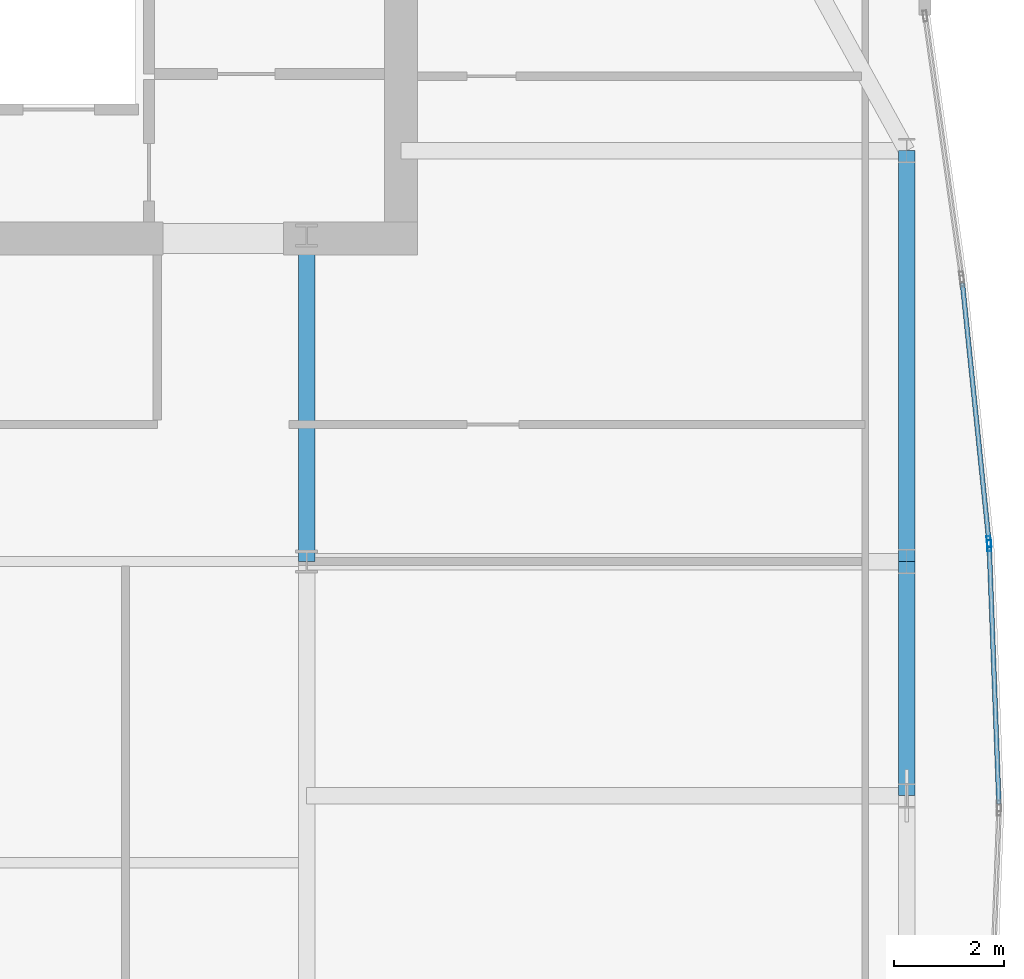
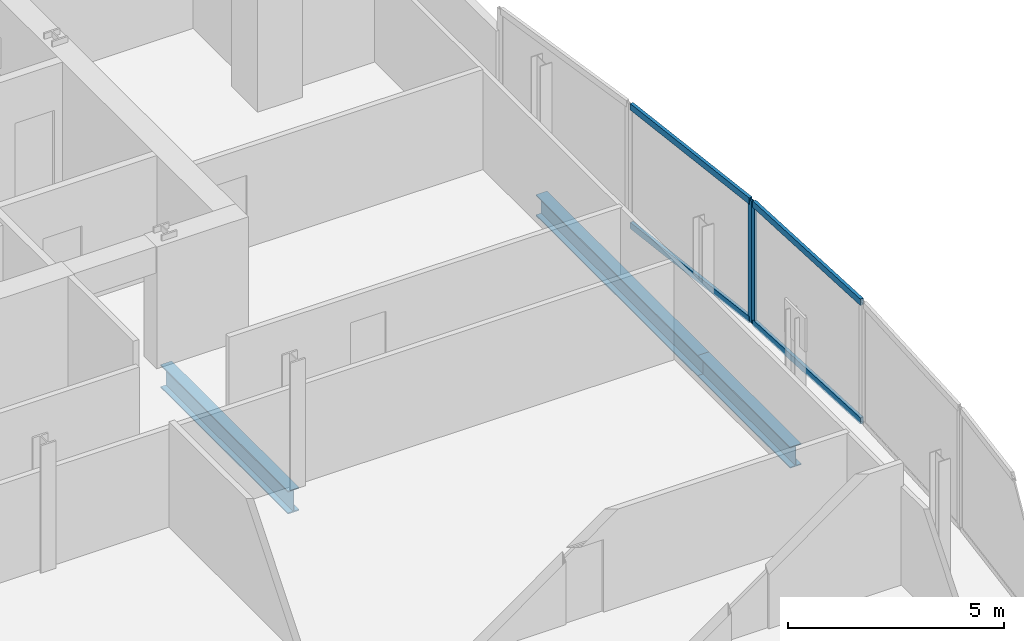
# One storey, part 21 of 32: 6 members, 3 beams, 2 elements without a shape of their own.
"""IFC4 building model written with IfcOpenShell, lengths in metres."""

import ifcopenshell
import ifcopenshell.guid

model = None  # the IFC model being written
_history = None  # IfcOwnerHistory: only IFC2X3 demands one
_inside = {}  # id of a spatial element -> (the spatial element, [elements in it])
_under = {}  # id of a project, library or spatial element -> (it, [spatial elements below it])
_declared = {}  # id of a project -> (the project, [libraries it declares])
_typed = {}  # id of a type object -> (the type object, [elements of that type])
_made_of = {}  # id of a material, layer set ... -> (it, [elements and type objects made of it])


def new_model(schema):
    """Start an empty IFC model of exactly this schema.

    Asked for "IFC4X3", IfcOpenShell would pick the latest addendum, in which some entities
    have other attributes; the version numbers below select the first issue.
    IFC2X3 requires an IfcOwnerHistory on every rooted entity: one is made here for all.
    """
    global model, _history
    if schema == "IFC4X3":
        model = ifcopenshell.file(schema_version=(4, 3, 0, 0))
    else:
        model = ifcopenshell.file(schema=schema)
    _inside.clear()
    _under.clear()
    _declared.clear()
    _typed.clear()
    _made_of.clear()
    _history = None
    if model.schema == "IFC2X3":
        org = make("IfcOrganization", Name="unknown")
        user = make(
            "IfcPersonAndOrganization",
            ThePerson=make("IfcPerson", FamilyName="unknown"),
            TheOrganization=org,
        )
        app = make(
            "IfcApplication",
            ApplicationDeveloper=org,
            Version="unknown",
            ApplicationFullName="unknown",
            ApplicationIdentifier="unknown",
        )
        _history = make(
            "IfcOwnerHistory",
            OwningUser=user,
            OwningApplication=app,
            ChangeAction="ADDED",
            CreationDate=0,
        )
    return model


def make(cls, **values):
    """One entity of the class cls with the attributes given. An attribute that is None is left unset."""
    return model.create_entity(
        cls, **{name: value for name, value in values.items() if value is not None}
    )


def rooted(cls, **values):
    """An entity with a GlobalId (a new one), such as an element, a storey or a relation."""
    return make(cls, GlobalId=ifcopenshell.guid.new(), OwnerHistory=_history, **values)


def si_unit(unit_type, name, prefix=None):
    """IfcSIUnit, for example si_unit("LENGTHUNIT", "METRE", prefix="MILLI")."""
    return make("IfcSIUnit", UnitType=unit_type, Prefix=prefix, Name=name)


def assignment(units):
    """IfcUnitAssignment: the units of a project."""
    return None if units is None else make("IfcUnitAssignment", Units=units)


def point(xyz):
    """IfcCartesianPoint."""
    return None if xyz is None else make("IfcCartesianPoint", Coordinates=xyz)


def direction(xyz):
    """IfcDirection."""
    return None if xyz is None else make("IfcDirection", DirectionRatios=xyz)


def frame(location, z_axis=None, x_axis=None):
    """IfcAxis2Placement3D, a coordinate frame: its origin and axes. An axis left out is left unset."""
    return make(
        "IfcAxis2Placement3D",
        Location=point(location),
        Axis=direction(z_axis),
        RefDirection=direction(x_axis),
    )


def frame_2d(location, x_axis=None):
    """IfcAxis2Placement2D, a coordinate frame in the plane: its origin and x axis."""
    return make(
        "IfcAxis2Placement2D", Location=point(location), RefDirection=direction(x_axis)
    )


def origin():
    """The frame at (0, 0, 0) with its axes left unset."""
    return frame((0.0, 0.0, 0.0))


def origin_2d():
    """The frame at (0, 0) in the plane with its x axis left unset."""
    return frame_2d((0.0, 0.0))


def place(relative_to, where):
    """IfcLocalPlacement: puts the frame where relative to a parent placement (None: the world)."""
    return make(
        "IfcLocalPlacement", PlacementRelTo=relative_to, RelativePlacement=where
    )


def context(
    kind, dimensions, precision=None, world=None, true_north=None, identifier=None
):
    """IfcGeometricRepresentationContext, for example the 3D "Model" context."""
    return make(
        "IfcGeometricRepresentationContext",
        ContextIdentifier=identifier,
        ContextType=kind,
        CoordinateSpaceDimension=dimensions,
        Precision=precision,
        WorldCoordinateSystem=world,
        TrueNorth=true_north,
    )


def subcontext(parent, identifier, kind, view, scale=None):
    """IfcGeometricRepresentationSubContext, for example "Body" below "Model"."""
    return make(
        "IfcGeometricRepresentationSubContext",
        ContextIdentifier=identifier,
        ContextType=kind,
        ParentContext=parent,
        TargetScale=scale,
        TargetView=view,
    )


def project(units=None, contexts=None):
    """IfcProject with its units and contexts."""
    return rooted(
        "IfcProject",
        Name="project",
        RepresentationContexts=contexts,
        UnitsInContext=assignment(units),
    )


def spatial(cls, under=None, at=None, **own):
    """A site, building, storey or space (cls), placed at a placement, below another one or the project."""
    s = rooted(cls, ObjectPlacement=at, **own)
    if under is not None:
        _under.setdefault(under.id(), (under, []))[1].append(s)
    return s


def profile(cls, at=None, kind="AREA", **sizes):
    """A parametric profile (cls). Its sizes go by their IFC names, for example OverallWidth=200.0."""
    return make(cls, ProfileType=kind, Position=at, **sizes)


def hollow_rectangle(**sizes):
    """IfcRectangleHollowProfileDef."""
    return profile("IfcRectangleHollowProfileDef", **sizes)


def i_section(**sizes):
    """IfcIShapeProfileDef."""
    return profile("IfcIShapeProfileDef", **sizes)


def extrude(swept, where, along, depth):
    """IfcExtrudedAreaSolid: the profile swept, set in the frame where, extruded along a direction by depth."""
    return make(
        "IfcExtrudedAreaSolid",
        SweptArea=swept,
        Position=where,
        ExtrudedDirection=direction(along),
        Depth=depth,
    )


def shape(context_of_items, identifier, shape_type, items):
    """IfcShapeRepresentation: the items that make up one representation, for example the "Body"."""
    return make(
        "IfcShapeRepresentation",
        ContextOfItems=context_of_items,
        RepresentationIdentifier=identifier,
        RepresentationType=shape_type,
        Items=items,
    )


def material(Name=None, Category=None):
    """IfcMaterial."""
    return make("IfcMaterial", Name=Name, Category=Category)


def material_profile(
    of_material, cross_section, Name=None, Category=None, Priority=None
):
    """IfcMaterialProfile: a cross section and its material."""
    return make(
        "IfcMaterialProfile",
        Name=Name,
        Material=of_material,
        Profile=cross_section,
        Priority=Priority,
        Category=Category,
    )


def profile_set(profiles, Name=None, composite=None):
    """IfcMaterialProfileSet."""
    return make(
        "IfcMaterialProfileSet",
        Name=Name,
        MaterialProfiles=profiles,
        CompositeProfile=composite,
    )


def made_of(thing, what):
    """Note that an element or type object is made of a material, layer set ...; save() writes the relation."""
    if what is not None:
        _made_of.setdefault(what.id(), (what, []))[1].append(thing)
    return thing


def type_object(cls, material=None, **own):
    """A type object (cls), such as IfcWallType, which elements share."""
    return made_of(rooted(cls, **own), material)


def element(
    cls,
    number,
    at=None,
    inside=None,
    cuts=None,
    type_object=None,
    material=None,
    context=None,
    identifier="Body",
    shape_type=None,
    held_by="IfcProductDefinitionShape",
    body=None,
    shapes=None,
    **own,
):
    """One element of the class cls, such as IfcWall. Its Tag is "e" and its number.

    at: its placement. inside: the storey or other place that contains it. cuts: it is an
    opening in that element (IfcRelVoidsElement). A single representation is given by context,
    identifier, shape_type and body (its items); several are given by shapes. held_by: the class
    of the entity that holds the representations. save() writes the other relations.
    """
    e = rooted(cls, Tag="e%d" % number, ObjectPlacement=at, **own)
    if body is not None:
        shapes = [shape(context, identifier, shape_type, body)]
    if shapes is not None:
        e.Representation = make(held_by, Representations=shapes)
    if inside is not None:
        _inside.setdefault(inside.id(), (inside, []))[1].append(e)
    if cuts is not None:
        rooted(
            "IfcRelVoidsElement", RelatingBuildingElement=cuts, RelatedOpeningElement=e
        )
    if type_object is not None:
        _typed.setdefault(type_object.id(), (type_object, []))[1].append(e)
    return made_of(e, material)


def aggregate(whole, parts):
    """IfcRelAggregates: a whole, such as a stair, and the parts it consists of."""
    return rooted("IfcRelAggregates", RelatingObject=whole, RelatedObjects=parts)


def save(model, path):
    """Write the relations noted so far, then the file.

    IfcRelAggregates (storeys below a building ...), IfcRelContainedInSpatialStructure (elements
    in a storey), IfcRelDefinesByType, IfcRelAssociatesMaterial and IfcRelDeclares: one each for
    every whole, place, type object, material and project.
    """
    for whole, parts in _under.values():
        aggregate(whole, parts)
    for where, things in _inside.values():
        rooted(
            "IfcRelContainedInSpatialStructure",
            RelatedElements=things,
            RelatingStructure=where,
        )
    for kind, things in _typed.values():
        rooted("IfcRelDefinesByType", RelatedObjects=things, RelatingType=kind)
    for what, things in _made_of.values():
        rooted("IfcRelAssociatesMaterial", RelatedObjects=things, RelatingMaterial=what)
    for by, libraries in _declared.values():
        rooted("IfcRelDeclares", RelatingContext=by, RelatedDefinitions=libraries)
    model.write(path)


model = new_model("IFC4")

# Units and contexts
model_context = context("Model", 3, precision=1e-05, world=origin(), true_north=direction((0.0, 1.0)))
body_context = subcontext(model_context, "Body", "Model", "MODEL_VIEW")
ifc_project = project(units=[si_unit("LENGTHUNIT", "METRE"), si_unit("AREAUNIT", "SQUARE_METRE"), si_unit("VOLUMEUNIT", "CUBIC_METRE"), si_unit("PLANEANGLEUNIT", "RADIAN"), si_unit("MASSUNIT", "GRAM", prefix="KILO")], contexts=[model_context])

# Site, building, storey
site_placement = place(None, origin())
site = spatial("IfcSite", under=ifc_project, at=site_placement, CompositionType="ELEMENT")
building_placement = place(site_placement, origin())
building = spatial("IfcBuilding", under=site, at=building_placement, Name="Khoronbel Lancet Exchange", CompositionType="ELEMENT")
storey_placement = place(building_placement, frame((0.0, 0.0, 228.199951171875)))
storey = spatial("IfcBuildingStorey", under=building, at=storey_placement, Name="L58", CompositionType="ELEMENT", Elevation=228.199951171875)

# Beams
ifc_material_1 = material(Name="Steel S355", Category="steel")
ifc_material_profile_1 = material_profile(ifc_material_1, i_section(OverallWidth=0.300048828125, OverallDepth=0.64990234375, WebThickness=0.01611328125, FlangeThickness=0.031005859375, at=origin_2d()), Name="HEB 650")
ifc_profile_set_1 = profile_set([ifc_material_profile_1], Name="Steel S355")
beam_type_1 = type_object("IfcBeamType", Name="BM-BG4", PredefinedType="BEAM", material=ifc_profile_set_1)
beam_1_placement = place(storey_placement, frame((54.675048828125, 35.699951171875, -0.48486328125), z_axis=(0.0, 1.0, 0.0), x_axis=(-1.0, 0.0, 0.0)))
element("IfcBeam", 1, at=beam_1_placement, inside=storey, type_object=beam_type_1, Name="Level L58 spine tie girder GN6", PredefinedType="BEAM", context=body_context, shape_type="SweptSolid", body=[
    extrude(i_section(OverallWidth=0.300048828125, OverallDepth=0.64990234375, WebThickness=0.01611328125, FlangeThickness=0.031005859375, at=origin_2d()), origin(), (0.0, 0.0, 1.0), 5.900146484375),
])
ifc_material_profile_2 = material_profile(ifc_material_1, i_section(OverallWidth=0.300048828125, OverallDepth=0.60009765625, WebThickness=0.015380859375, FlangeThickness=0.030029296875, at=origin_2d()), Name="HEB 600")
ifc_profile_set_2 = profile_set([ifc_material_profile_2], Name="Steel S355")
beam_type_2 = type_object("IfcBeamType", Name="BM-BSP2", PredefinedType="SPANDREL", material=ifc_profile_set_2)
beam_2_placement = place(storey_placement, frame((65.6298828125, 31.425048828125, -0.4599609375), z_axis=(0.0, 1.0, 0.0), x_axis=(-1.0, 0.0, 0.0)))
element("IfcBeam", 2, at=beam_2_placement, inside=storey, type_object=beam_type_2, Name="Level L58 perimeter spandrel beam SP13", PredefinedType="SPANDREL", context=body_context, shape_type="SweptSolid", body=[
    extrude(i_section(OverallWidth=0.300048828125, OverallDepth=0.60009765625, WebThickness=0.015380859375, FlangeThickness=0.030029296875, at=origin_2d()), origin(), (0.0, 0.0, 1.0), 4.27490234375),
])
beam_3_placement = place(storey_placement, frame((65.6298828125, 35.699951171875, -0.4599609375), z_axis=(0.0, 1.0, 0.0), x_axis=(-1.0, 0.0, 0.0)))
element("IfcBeam", 3, at=beam_3_placement, inside=storey, type_object=beam_type_2, Name="Level L58 perimeter spandrel beam SP14", PredefinedType="SPANDREL", context=body_context, shape_type="SweptSolid", body=[
    extrude(i_section(OverallWidth=0.300048828125, OverallDepth=0.60009765625, WebThickness=0.015380859375, FlangeThickness=0.030029296875, at=origin_2d()), origin(), (0.0, 0.0, 1.0), 7.5),
])

# Curtain wall, member
ifc_material_2 = material(Name="Low-E Solar Control Insulating Glass", Category="glass")
curtain_wall_type = type_object("IfcCurtainWallType", Name="CW-4", PredefinedType="NOTDEFINED", material=ifc_material_2)
curtain_wall_1_placement = place(storey_placement, origin())
curtain_wall_1 = element("IfcCurtainWall", 4, at=curtain_wall_1_placement, inside=storey, type_object=curtain_wall_type, Name="Unitised curtain wall CW-L58-E18", PredefinedType="NOTDEFINED")
ifc_material_3 = material(Name="Bronze-Anodised Aluminium 6063-T6", Category="aluminium")
ifc_material_profile_3 = material_profile(ifc_material_3, hollow_rectangle(XDim=0.074951171875, YDim=0.199951171875, WallThickness=0.0048828125, at=origin_2d()), Name="ALU MULLION 75x200")
ifc_profile_set_3 = profile_set([ifc_material_profile_3], Name="Bronze-Anodised Aluminium 6063-T6")
member_type_1 = type_object("IfcMemberType", Name="MEM-CWM2", PredefinedType="MULLION", material=ifc_profile_set_3)
member_1_placement = place(storey_placement, frame((67.130126953125, 36.064208984375, 0.0), z_axis=(0.0, 0.0, 1.0), x_axis=(0.994772481584, 0.102116158773, 0.0)))
member_1 = element("IfcMember", 5, at=member_1_placement, type_object=member_type_1, Name="CW4 mullion 2", PredefinedType="MULLION", context=body_context, shape_type="SweptSolid", body=[
    extrude(hollow_rectangle(XDim=0.074951171875, YDim=0.199951171875, WallThickness=0.0048828125, at=origin_2d()), origin(), (0.0, 0.0, 1.0), 3.43994140625),
])

curtain_wall_2_placement = place(storey_placement, origin())
curtain_wall_2 = element("IfcCurtainWall", 6, at=curtain_wall_2_placement, inside=storey, type_object=curtain_wall_type, Name="Unitised curtain wall CW-L58-E19", PredefinedType="NOTDEFINED")
member_2_placement = place(storey_placement, frame((67.135498046875, 35.989501953125, 0.0), z_axis=(0.0, 0.0, 1.0), x_axis=(0.99929538512, 0.037533095775, 0.0)))
member_2 = element("IfcMember", 7, at=member_2_placement, type_object=member_type_1, Name="CW4 mullion 1", PredefinedType="MULLION", context=body_context, shape_type="SweptSolid", body=[
    extrude(hollow_rectangle(XDim=0.074951171875, YDim=0.199951171875, WallThickness=0.0048828125, at=origin_2d()), origin(), (0.0, 0.0, 1.0), 3.43994140625),
])

# Member
ifc_material_profile_4 = material_profile(ifc_material_3, hollow_rectangle(XDim=0.0849609375, YDim=0.179931640625, WallThickness=0.0048828125, at=origin_2d()), Name="ALU TRANSOM 85x180")
ifc_profile_set_4 = profile_set([ifc_material_profile_4], Name="Bronze-Anodised Aluminium 6063-T6")
member_type_2 = type_object("IfcMemberType", Name="MEM-CWT1", PredefinedType="USERDEFINED", material=ifc_profile_set_4)
member_3_placement = place(storey_placement, frame((66.64599609375, 40.78125, 0.04248046875), z_axis=(0.102082856557, -0.994775899586, 0.0), x_axis=(0.994775899586, 0.102082856557, 0.0)))
member_3 = element("IfcMember", 8, at=member_3_placement, type_object=member_type_2, Name="CW4 transom 1.1", ObjectType="TRANSOM", PredefinedType="USERDEFINED", context=body_context, shape_type="SweptSolid", body=[
    extrude(hollow_rectangle(XDim=0.0849609375, YDim=0.179931640625, WallThickness=0.0048828125, at=origin_2d()), origin(), (0.0, 0.0, 1.0), 4.704345703125),
])

member_4_placement = place(storey_placement, frame((66.64599609375, 40.78125, 3.3974609375), z_axis=(0.102082856557, -0.994775899586, 0.0), x_axis=(0.994775899586, 0.102082856557, 0.0)))
member_4 = element("IfcMember", 9, at=member_4_placement, type_object=member_type_2, Name="CW4 transom 1.2", ObjectType="TRANSOM", PredefinedType="USERDEFINED", context=body_context, shape_type="SweptSolid", body=[
    extrude(hollow_rectangle(XDim=0.0849609375, YDim=0.179931640625, WallThickness=0.0048828125, at=origin_2d()), origin(), (0.0, 0.0, 1.0), 4.704345703125),
])

aggregate(curtain_wall_1, [member_1, member_3, member_4])

member_5_placement = place(storey_placement, frame((67.13671875, 35.9521484375, 0.04248046875), z_axis=(0.037555698187, -0.999294535927, 0.0), x_axis=(0.999294535927, 0.037555698187, 0.0)))
member_5 = element("IfcMember", 10, at=member_5_placement, type_object=member_type_2, Name="CW4 transom 1.1", ObjectType="TRANSOM", PredefinedType="USERDEFINED", context=body_context, shape_type="SweptSolid", body=[
    extrude(hollow_rectangle(XDim=0.0849609375, YDim=0.179931640625, WallThickness=0.0048828125, at=origin_2d()), origin(), (0.0, 0.0, 1.0), 4.6806640625),
])

member_6_placement = place(storey_placement, frame((67.13671875, 35.9521484375, 3.3974609375), z_axis=(0.037555698187, -0.999294535927, 0.0), x_axis=(0.999294535927, 0.037555698187, 0.0)))
member_6 = element("IfcMember", 11, at=member_6_placement, type_object=member_type_2, Name="CW4 transom 1.2", ObjectType="TRANSOM", PredefinedType="USERDEFINED", context=body_context, shape_type="SweptSolid", body=[
    extrude(hollow_rectangle(XDim=0.0849609375, YDim=0.179931640625, WallThickness=0.0048828125, at=origin_2d()), origin(), (0.0, 0.0, 1.0), 4.6806640625),
])

aggregate(curtain_wall_2, [member_2, member_5, member_6])

save(model, "model.ifc")
